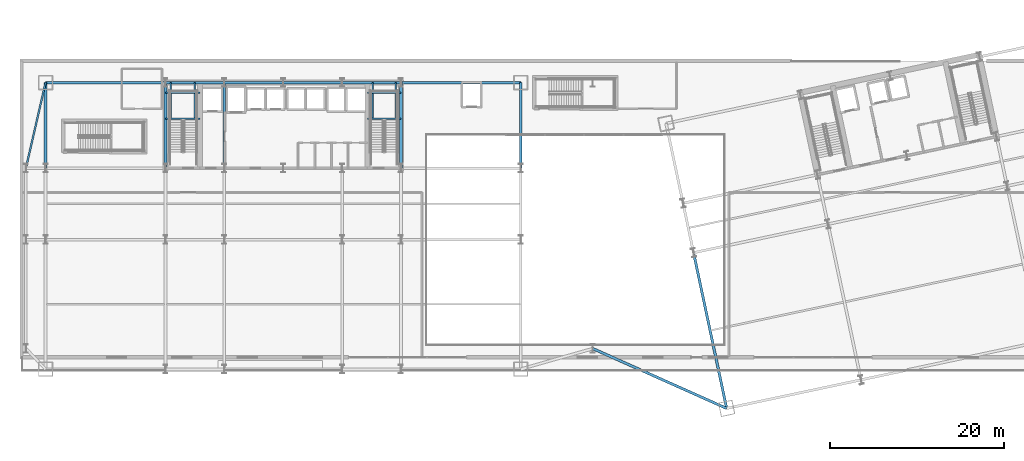
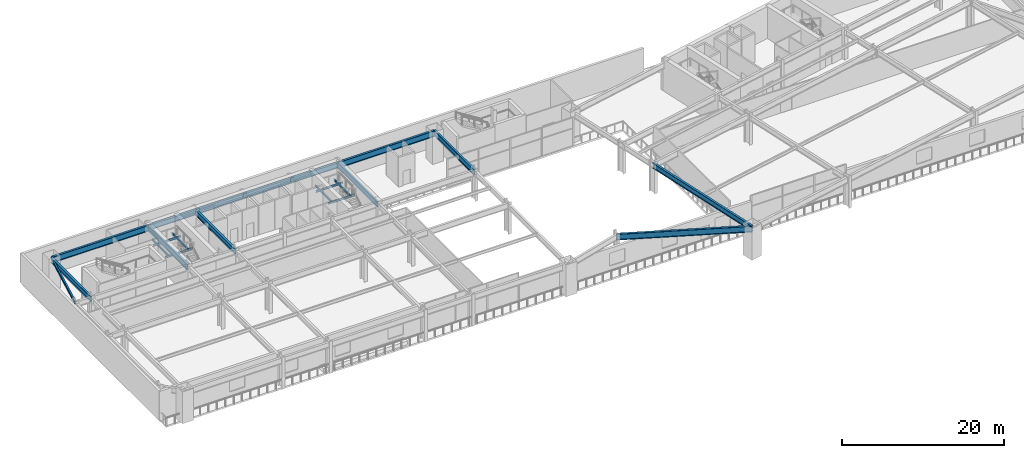
# One storey, part 9 of 35: 22 beams.
"""IFC4 building model written with IfcOpenShell, lengths in metres."""

from ifc_helpers import new_model, si_unit, direction, frame, origin, origin_2d, place, context, subcontext, project, spatial, i_section, extrude, material, material_profile, profile_set, type_object, element, save


model = new_model("IFC4")

# Units and contexts
model_context = context("Model", 3, precision=1e-05, world=origin(), true_north=direction((0.0, 1.0)))
body_context = subcontext(model_context, "Body", "Model", "MODEL_VIEW")
ifc_project = project(units=[si_unit("LENGTHUNIT", "METRE"), si_unit("AREAUNIT", "SQUARE_METRE"), si_unit("VOLUMEUNIT", "CUBIC_METRE"), si_unit("PLANEANGLEUNIT", "RADIAN"), si_unit("MASSUNIT", "GRAM", prefix="KILO")], contexts=[model_context])

# Site, building, storey
site_placement = place(None, origin())
site = spatial("IfcSite", under=ifc_project, at=site_placement, CompositionType="ELEMENT")
building_placement = place(site_placement, origin())
building = spatial("IfcBuilding", under=site, at=building_placement, Name="Haevon Station Towers", CompositionType="ELEMENT")
storey_placement = place(building_placement, frame((0.0, 0.0, 20.39990234375)))
storey = spatial("IfcBuildingStorey", under=building, at=storey_placement, Name="L04", CompositionType="ELEMENT", Elevation=20.39990234375)

# Beams
ifc_material = material(Name="Steel S355", Category="steel")
ifc_material_profile_1 = material_profile(ifc_material, i_section(OverallWidth=0.199951171875, OverallDepth=0.39990234375, WebThickness=0.008056640625, FlangeThickness=0.012939453125, at=origin_2d()), Name="H-400x200x8x13")
ifc_profile_set_1 = profile_set([ifc_material_profile_1], Name="Steel S355")
beam_type_1 = type_object("IfcBeamType", Name="BM-CANT400", PredefinedType="JOIST", material=ifc_profile_set_1)
beam_1_placement = place(storey_placement, frame((8.0, 38.199951171875, 4.25), z_axis=(0.223768790916, 0.974642256529, 0.0), x_axis=(-0.974642256529, 0.223768790916, 0.0)))
element("IfcBeam", 1, at=beam_1_placement, inside=storey, type_object=beam_type_1, Name="BM-PODTERR-L04", PredefinedType="JOIST", context=body_context, shape_type="SweptSolid", body=[
    extrude(i_section(OverallWidth=0.199951171875, OverallDepth=0.39990234375, WebThickness=0.008056640625, FlangeThickness=0.012939453125, at=origin_2d()), origin(), (0.0, 0.0, 1.0), 10.054931640625),
])
ifc_material_profile_2 = material_profile(ifc_material, i_section(OverallWidth=0.14990234375, OverallDepth=0.300048828125, WebThickness=0.006591796875, FlangeThickness=0.009033203125, at=origin_2d()), Name="H-300x150x6.5x9")
ifc_profile_set_2 = profile_set([ifc_material_profile_2], Name="Steel S355")
beam_type_2 = type_object("IfcBeamType", Name="BM-LIN300", PredefinedType="LINTEL", material=ifc_profile_set_2)
for number, where, z_axis, x_axis, name in (
    (2, (24.0, 43.864013671875, 2.050048828125), (1.0, 0.0, 0.0), (0.0, 1.0, 0.0), "BM-ST1L-L04-1-S"),
    (3, (24.0, 46.820068359375, 2.050048828125), (1.0, 0.0, 0.0), (0.0, 1.0, 0.0), "BM-ST1L-L04-1-N"),
):
    element("IfcBeam", number, at=place(storey_placement, frame(where, z_axis=z_axis, x_axis=x_axis)), inside=storey, type_object=beam_type_2, Name=name, PredefinedType="LINTEL", context=body_context, shape_type="SweptSolid", body=[
        extrude(i_section(OverallWidth=0.14990234375, OverallDepth=0.300048828125, WebThickness=0.006591796875, FlangeThickness=0.009033203125, at=origin_2d()), origin(), (0.0, 0.0, 1.0), 3.949951171875),
    ])
for number, where, z_axis, x_axis, name in (
    (4, (24.60009765625, 43.864013671875, 2.050048828125), (0.0, 1.0, 0.0), (-1.0, 0.0, 0.0), "BM-ST1L-L04-1-W"),
    (5, (27.35009765625, 43.864013671875, 2.050048828125), (0.0, 1.0, 0.0), (-1.0, 0.0, 0.0), "BM-ST1L-L04-1-E"),
):
    element("IfcBeam", number, at=place(storey_placement, frame(where, z_axis=z_axis, x_axis=x_axis)), inside=storey, type_object=beam_type_2, Name=name, PredefinedType="LINTEL", context=body_context, shape_type="SweptSolid", body=[
        extrude(i_section(OverallWidth=0.14990234375, OverallDepth=0.300048828125, WebThickness=0.006591796875, FlangeThickness=0.009033203125, at=origin_2d()), origin(), (0.0, 0.0, 1.0), 4.135986328125),
    ])
for number, where, z_axis, x_axis, name in (
    (6, (47.14990234375, 43.864013671875, 2.050048828125), (1.0, 0.0, 0.0), (0.0, 1.0, 0.0), "BM-ST2L-L04-1-S"),
    (7, (47.14990234375, 46.820068359375, 2.050048828125), (1.0, 0.0, 0.0), (0.0, 1.0, 0.0), "BM-ST2L-L04-1-N"),
):
    element("IfcBeam", number, at=place(storey_placement, frame(where, z_axis=z_axis, x_axis=x_axis)), inside=storey, type_object=beam_type_2, Name=name, PredefinedType="LINTEL", context=body_context, shape_type="SweptSolid", body=[
        extrude(i_section(OverallWidth=0.14990234375, OverallDepth=0.300048828125, WebThickness=0.006591796875, FlangeThickness=0.009033203125, at=origin_2d()), origin(), (0.0, 0.0, 1.0), 3.85009765625),
    ])
for number, where, z_axis, x_axis, name in (
    (8, (47.75, 43.864013671875, 2.050048828125), (0.0, 1.0, 0.0), (-1.0, 0.0, 0.0), "BM-ST2L-L04-1-W"),
    (9, (50.39990234375, 43.864013671875, 2.050048828125), (0.0, 1.0, 0.0), (-1.0, 0.0, 0.0), "BM-ST2L-L04-1-E"),
):
    element("IfcBeam", number, at=place(storey_placement, frame(where, z_axis=z_axis, x_axis=x_axis)), inside=storey, type_object=beam_type_2, Name=name, PredefinedType="LINTEL", context=body_context, shape_type="SweptSolid", body=[
        extrude(i_section(OverallWidth=0.14990234375, OverallDepth=0.300048828125, WebThickness=0.006591796875, FlangeThickness=0.009033203125, at=origin_2d()), origin(), (0.0, 0.0, 1.0), 4.135986328125),
    ])
ifc_material_profile_3 = material_profile(ifc_material, i_section(OverallWidth=0.300048828125, OverallDepth=0.800048828125, WebThickness=0.013916015625, FlangeThickness=0.02587890625, at=origin_2d()), Name="H-800x300x14x26")
ifc_profile_set_3 = profile_set([ifc_material_profile_3], Name="Steel S355")
beam_type_3 = type_object("IfcBeamType", Name="BM-PG800", PredefinedType="BEAM", material=ifc_profile_set_3)
for number, where, z_axis, x_axis, name in (
    (10, (24.0, 48.0, 4.050048828125), (1.0, 0.0, 0.0), (0.0, 1.0, 0.0), "BM-T1X-L04-04-02"),
    (11, (30.75, 48.0, 4.050048828125), (1.0, 0.0, 0.0), (0.0, 1.0, 0.0), "BM-T1X-L04-04-03"),
    (12, (37.5, 48.0, 4.050048828125), (1.0, 0.0, 0.0), (0.0, 1.0, 0.0), "BM-T1X-L04-04-04"),
    (13, (44.25, 48.0, 4.050048828125), (1.0, 0.0, 0.0), (0.0, 1.0, 0.0), "BM-T1X-L04-04-05"),
):
    element("IfcBeam", number, at=place(storey_placement, frame(where, z_axis=z_axis, x_axis=x_axis)), inside=storey, type_object=beam_type_3, Name=name, PredefinedType="BEAM", context=body_context, shape_type="SweptSolid", body=[
        extrude(i_section(OverallWidth=0.300048828125, OverallDepth=0.800048828125, WebThickness=0.013916015625, FlangeThickness=0.02587890625, at=origin_2d()), origin(), (0.0, 0.0, 1.0), 6.75),
    ])
for number, where, z_axis, x_axis, name in (
    (14, (10.25, 38.199951171875, 4.050048828125), (0.0, 1.0, 0.0), (-1.0, 0.0, 0.0), "BM-T1Y-L04-01-03"),
    (15, (24.0, 38.199951171875, 4.050048828125), (0.0, 1.0, 0.0), (-1.0, 0.0, 0.0), "BM-T1Y-L04-02-03"),
    (16, (30.75, 38.199951171875, 4.050048828125), (0.0, 1.0, 0.0), (-1.0, 0.0, 0.0), "BM-T1Y-L04-03-03"),
    (17, (51.0, 38.199951171875, 4.050048828125), (0.0, 1.0, 0.0), (-1.0, 0.0, 0.0), "BM-T1Y-L04-06-03"),
    (18, (64.75, 38.199951171875, 4.050048828125), (0.0, 1.0, 0.0), (-1.0, 0.0, 0.0), "BM-T1Y-L04-07-03"),
):
    element("IfcBeam", number, at=place(storey_placement, frame(where, z_axis=z_axis, x_axis=x_axis)), inside=storey, type_object=beam_type_3, Name=name, PredefinedType="BEAM", context=body_context, shape_type="SweptSolid", body=[
        extrude(i_section(OverallWidth=0.300048828125, OverallDepth=0.800048828125, WebThickness=0.013916015625, FlangeThickness=0.02587890625, at=origin_2d()), origin(), (0.0, 0.0, 1.0), 9.800048828125),
    ])
beam_2_placement = place(storey_placement, frame((88.346923828125, 10.643310546875, 4.050048828125), z_axis=(-0.207912673377, 0.978147391884, 0.0), x_axis=(-0.978147391884, -0.207912673377, 0.0)))
element("IfcBeam", 19, at=beam_2_placement, inside=storey, type_object=beam_type_3, Name="BM-T2V-L04-01-01", PredefinedType="BEAM", context=body_context, shape_type="SweptSolid", body=[
    extrude(i_section(OverallWidth=0.300048828125, OverallDepth=0.800048828125, WebThickness=0.013916015625, FlangeThickness=0.02587890625, at=origin_2d()), origin(), (0.0, 0.0, 1.0), 18.250244140625),
])
ifc_material_profile_4 = material_profile(ifc_material, i_section(OverallWidth=0.300048828125, OverallDepth=0.89990234375, WebThickness=0.01611328125, FlangeThickness=0.028076171875, at=origin_2d()), Name="H-900x300x16x28")
ifc_profile_set_4 = profile_set([ifc_material_profile_4], Name="Steel S355")
beam_type_4 = type_object("IfcBeamType", Name="BM-PG900", PredefinedType="BEAM", material=ifc_profile_set_4)
for number, where, z_axis, x_axis, name in (
    (20, (10.25, 48.0, 4.0), (1.0, 0.0, 0.0), (0.0, 1.0, 0.0), "BM-T1X-L04-04-01"),
    (21, (51.0, 48.0, 4.0), (1.0, 0.0, 0.0), (0.0, 1.0, 0.0), "BM-T1X-L04-04-06"),
):
    element("IfcBeam", number, at=place(storey_placement, frame(where, z_axis=z_axis, x_axis=x_axis)), inside=storey, type_object=beam_type_4, Name=name, PredefinedType="BEAM", context=body_context, shape_type="SweptSolid", body=[
        extrude(i_section(OverallWidth=0.300048828125, OverallDepth=0.89990234375, WebThickness=0.01611328125, FlangeThickness=0.028076171875, at=origin_2d()), origin(), (0.0, 0.0, 1.0), 13.75),
    ])
beam_3_placement = place(storey_placement, frame((73.0, 17.5, 4.0), z_axis=(0.913018608866, -0.407917908242, 0.0), x_axis=(0.407917908242, 0.913018608866, 0.0)))
element("IfcBeam", 22, at=beam_3_placement, inside=storey, type_object=beam_type_4, Name="BM-PODLKS2-L04", PredefinedType="BEAM", context=body_context, shape_type="SweptSolid", body=[
    extrude(i_section(OverallWidth=0.300048828125, OverallDepth=0.89990234375, WebThickness=0.01611328125, FlangeThickness=0.028076171875, at=origin_2d()), origin(), (0.0, 0.0, 1.0), 16.80908203125),
])

save(model, "model.ifc")
